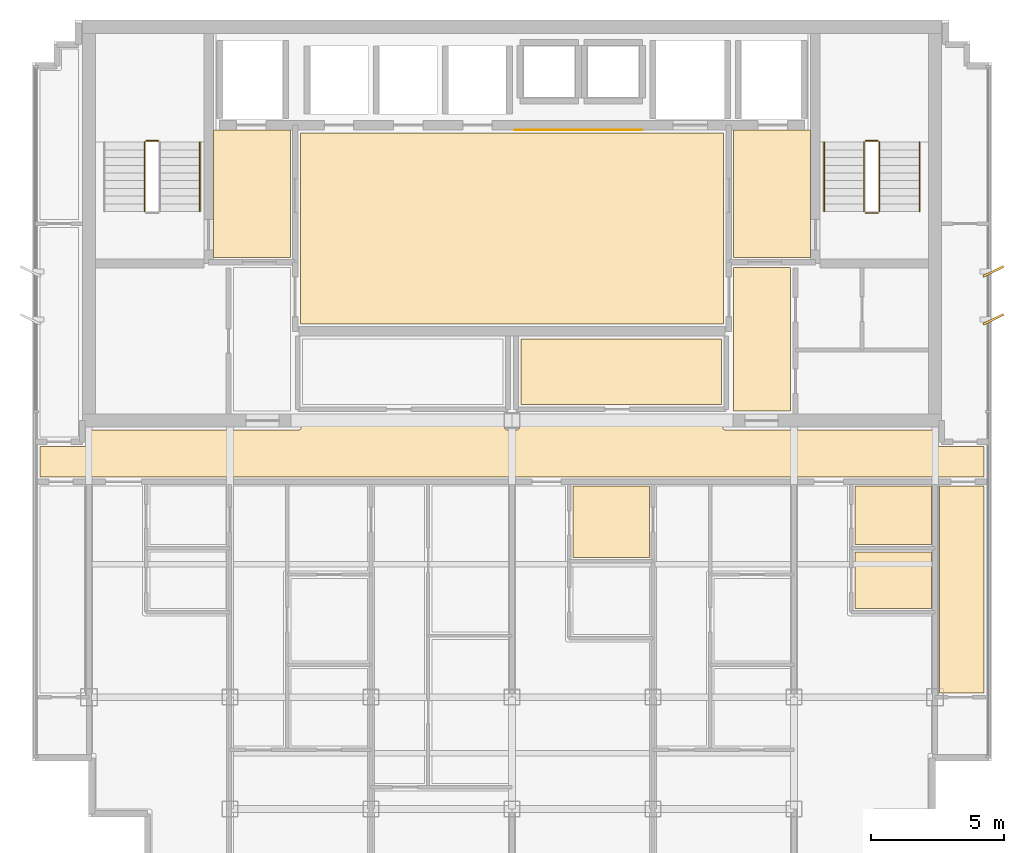
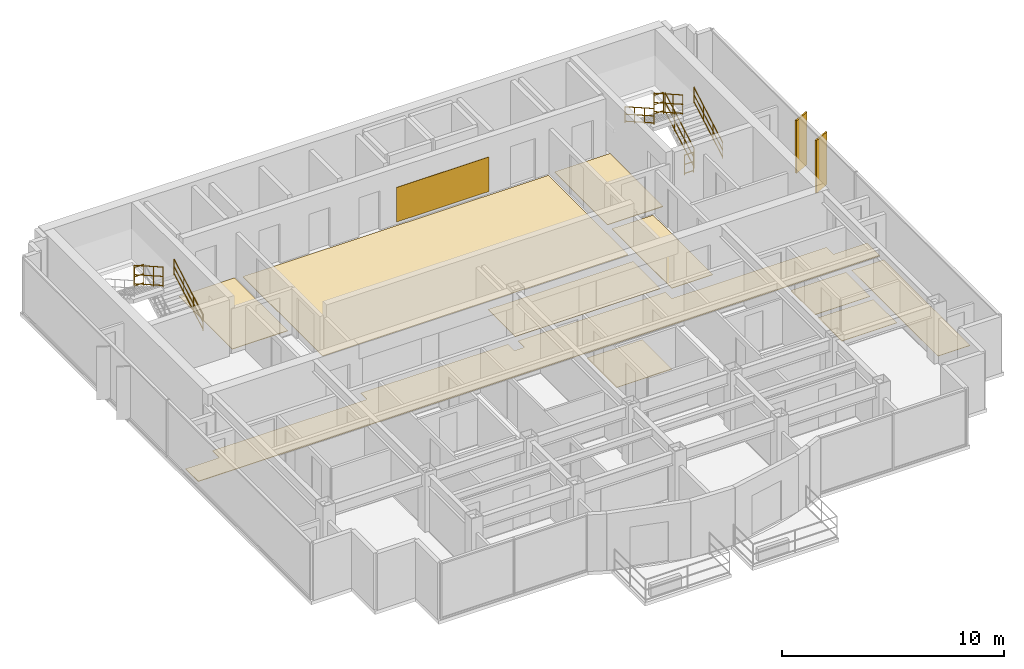
# One storey, part 11 of 11: 11 coverings, 9 railings, 2 shading devices.
"""IFC4 building model written with IfcOpenShell, lengths in metres."""

from ifc_helpers import new_model, si_unit, direction, frame, origin, origin_2d, place, context, subcontext, project, spatial, polyline, rectangle, circle, outline, extrude, source, transform, mapped, material, layer, layer_set, type_object, element, save


model = new_model("IFC4")

# Units and contexts
model_context = context("Model", 3, precision=1e-05, world=origin(), true_north=direction((0.0, 1.0)))
body_context = subcontext(model_context, "Body", "Model", "MODEL_VIEW")
ifc_project = project(units=[si_unit("LENGTHUNIT", "METRE"), si_unit("AREAUNIT", "SQUARE_METRE"), si_unit("VOLUMEUNIT", "CUBIC_METRE"), si_unit("PLANEANGLEUNIT", "RADIAN"), si_unit("MASSUNIT", "GRAM", prefix="KILO")], contexts=[model_context])

# Site, building, storey
site_placement = place(None, origin())
site = spatial("IfcSite", under=ifc_project, at=site_placement, CompositionType="ELEMENT")
building_placement = place(site_placement, origin())
building = spatial("IfcBuilding", under=site, at=building_placement, Name="Qianlan Lanfeng Residences", CompositionType="ELEMENT")
storey_placement = place(building_placement, frame((0.0, 0.0, 259.39990234375)))
storey = spatial("IfcBuildingStorey", under=building, at=storey_placement, Name="L72", CompositionType="ELEMENT", Elevation=259.39990234375)

# Coverings
ifc_material_1 = material(Name="Anodised Bronze Feature Wall Cladding")
ifc_layer_1 = layer(ifc_material_1, 0.02490234375)
ifc_layer_set_1 = layer_set([ifc_layer_1], Name="Anodised Bronze Feature Wall Cladding")
covering_type_1 = type_object("IfcCoveringType", Name="CLD-BRZ-25", PredefinedType="CLADDING", material=ifc_layer_set_1)
covering_1_placement = place(storey_placement, frame((0.0, 0.0, 0.150146484375)))
element("IfcCovering", 1, at=covering_1_placement, inside=storey, type_object=covering_type_1, Name="L72 Lift Lobby Bronze Feature Cladding", PredefinedType="CLADDING", context=body_context, shape_type="SweptSolid", body=[
    extrude(outline(polyline([(26.60009765625, 36.10009765625), (31.39990234375, 36.10009765625), (31.39990234375, 36.125), (26.60009765625, 36.125), (26.60009765625, 36.10009765625)])), origin(), (0.0, 0.0, 1.0), 1.89990234375),
])
ifc_material_2 = material(Name="Honed Taitung Granite Stone Flooring", Category="masonry")
ifc_layer_2 = layer(ifc_material_2, 0.030029296875)
ifc_layer_set_2 = layer_set([ifc_layer_2], Name="Honed Taitung Granite Stone Flooring")
covering_type_2 = type_object("IfcCoveringType", Name="FLR-STN-30", PredefinedType="FLOORING", material=ifc_layer_set_2)
covering_2_placement = place(storey_placement, origin())
element("IfcCovering", 2, at=covering_2_placement, inside=storey, type_object=covering_type_2, Name="L72 Firefighting Lift Lobby Floor Finish", PredefinedType="FLOORING", context=body_context, shape_type="SweptSolid", body=[
    extrude(outline(polyline([(15.2900390625, 31.320068359375), (18.179931640625, 31.320068359375), (18.179931640625, 36.110107421875), (15.2900390625, 36.110107421875), (15.2900390625, 31.320068359375)])), origin(), (0.0, 0.0, 1.0), 0.030029296875),
])
covering_3_placement = place(storey_placement, origin())
element("IfcCovering", 3, at=covering_3_placement, inside=storey, type_object=covering_type_2, Name="L72 Firefighting Lift Lobby Floor Finish", PredefinedType="FLOORING", context=body_context, shape_type="SweptSolid", body=[
    extrude(outline(polyline([(34.820068359375, 31.320068359375), (37.7099609375, 31.320068359375), (37.7099609375, 36.110107421875), (34.820068359375, 36.110107421875), (34.820068359375, 31.320068359375)])), origin(), (0.0, 0.0, 1.0), 0.030029296875),
])
covering_4_placement = place(storey_placement, origin())
element("IfcCovering", 4, at=covering_4_placement, inside=storey, type_object=covering_type_2, Name="L72 Lift Lobby Floor Finish", PredefinedType="FLOORING", context=body_context, shape_type="SweptSolid", body=[
    extrude(outline(polyline([(18.550048828125, 28.820068359375), (34.449951171875, 28.820068359375), (34.449951171875, 36.010009765625), (18.550048828125, 36.010009765625), (18.550048828125, 28.820068359375)])), origin(), (0.0, 0.0, 1.0), 0.030029296875),
])
covering_5_placement = place(storey_placement, origin())
element("IfcCovering", 5, at=covering_5_placement, inside=storey, type_object=covering_type_2, Name="L72 Residential Corridor Floor Finish", PredefinedType="FLOORING", context=body_context, shape_type="SweptSolid", body=[
    extrude(outline(polyline([(8.77001953125, 23.080078125), (44.22998046875, 23.080078125), (44.22998046875, 24.219970703125), (42.5400390625, 24.219970703125), (42.532958984375, 24.219970703125), (42.52587890625, 24.220947265625), (42.52001953125, 24.222900390625), (42.512939453125, 24.22509765625), (42.507080078125, 24.22802734375), (42.5009765625, 24.23193359375), (42.49609375, 24.236083984375), (42.490966796875, 24.240966796875), (42.486083984375, 24.24609375), (42.48193359375, 24.2509765625), (42.47802734375, 24.257080078125), (42.47509765625, 24.262939453125), (42.472900390625, 24.27001953125), (42.470947265625, 24.27587890625), (42.469970703125, 24.282958984375), (42.469970703125, 24.2900390625), (42.469970703125, 24.85009765625), (34.5, 24.85009765625), (34.492919921875, 24.85009765625), (34.486083984375, 24.85107421875), (34.47998046875, 24.85302734375), (34.472900390625, 24.85498046875), (34.467041015625, 24.85791015625), (34.4609375, 24.862060546875), (34.4560546875, 24.865966796875), (34.450927734375, 24.87109375), (34.446044921875, 24.8759765625), (34.44189453125, 24.881103515625), (34.43798828125, 24.886962890625), (34.43505859375, 24.89306640625), (34.43310546875, 24.89990234375), (34.430908203125, 24.906005859375), (34.429931640625, 24.9130859375), (34.429931640625, 24.919921875), (34.429931640625, 25.429931640625), (26.77001953125, 25.429931640625), (26.77001953125, 24.919921875), (26.77001953125, 24.9130859375), (26.76904296875, 24.906005859375), (26.76708984375, 24.89990234375), (26.764892578125, 24.89306640625), (26.761962890625, 24.886962890625), (26.758056640625, 24.881103515625), (26.75390625, 24.8759765625), (26.7490234375, 24.87109375), (26.743896484375, 24.865966796875), (26.739013671875, 24.862060546875), (26.73291015625, 24.85791015625), (26.72705078125, 24.85498046875), (26.719970703125, 24.85302734375), (26.714111328125, 24.85107421875), (26.70703125, 24.85009765625), (26.699951171875, 24.85009765625), (26.300048828125, 24.85009765625), (26.29296875, 24.85009765625), (26.285888671875, 24.85107421875), (26.280029296875, 24.85302734375), (26.27294921875, 24.85498046875), (26.26708984375, 24.85791015625), (26.260986328125, 24.862060546875), (26.256103515625, 24.865966796875), (26.2509765625, 24.87109375), (26.24609375, 24.8759765625), (26.241943359375, 24.881103515625), (26.238037109375, 24.886962890625), (26.235107421875, 24.89306640625), (26.23291015625, 24.89990234375), (26.23095703125, 24.906005859375), (26.22998046875, 24.9130859375), (26.22998046875, 24.919921875), (26.22998046875, 25.429931640625), (18.570068359375, 25.429931640625), (18.570068359375, 24.919921875), (18.570068359375, 24.9130859375), (18.569091796875, 24.906005859375), (18.56689453125, 24.89990234375), (18.56494140625, 24.89306640625), (18.56201171875, 24.886962890625), (18.55810546875, 24.881103515625), (18.553955078125, 24.8759765625), (18.549072265625, 24.87109375), (18.5439453125, 24.865966796875), (18.5390625, 24.862060546875), (18.532958984375, 24.85791015625), (18.527099609375, 24.85498046875), (18.52001953125, 24.85302734375), (18.513916015625, 24.85107421875), (18.507080078125, 24.85009765625), (18.5, 24.85009765625), (10.530029296875, 24.85009765625), (10.530029296875, 24.2900390625), (10.530029296875, 24.282958984375), (10.529052734375, 24.27587890625), (10.527099609375, 24.27001953125), (10.52490234375, 24.262939453125), (10.52197265625, 24.257080078125), (10.51806640625, 24.2509765625), (10.513916015625, 24.24609375), (10.509033203125, 24.240966796875), (10.50390625, 24.236083984375), (10.4990234375, 24.23193359375), (10.492919921875, 24.22802734375), (10.487060546875, 24.22509765625), (10.47998046875, 24.222900390625), (10.47412109375, 24.220947265625), (10.467041015625, 24.219970703125), (10.4599609375, 24.219970703125), (8.77001953125, 24.219970703125), (8.77001953125, 23.080078125)])), origin(), (0.0, 0.0, 1.0), 0.030029296875),
])
covering_6_placement = place(storey_placement, origin())
element("IfcCovering", 6, at=covering_6_placement, inside=storey, type_object=covering_type_2, Name="L72 Lift Lobby Floor Finish", PredefinedType="FLOORING", context=body_context, shape_type="SweptSolid", body=[
    extrude(outline(polyline([(34.830078125, 25.56005859375), (36.969970703125, 25.56005859375), (36.969970703125, 30.949951171875), (34.830078125, 30.949951171875), (34.830078125, 25.56005859375)])), origin(), (0.0, 0.0, 1.0), 0.030029296875),
])
ifc_material_3 = material(Name="Slip-Resistant Porcelain Tile Flooring")
ifc_layer_3 = layer(ifc_material_3, 0.02001953125)
ifc_layer_set_3 = layer_set([ifc_layer_3], Name="Slip-Resistant Porcelain Tile Flooring")
covering_type_3 = type_object("IfcCoveringType", Name="FLR-TIL-20", PredefinedType="FLOORING", material=ifc_layer_set_3)
covering_7_placement = place(storey_placement, origin())
element("IfcCovering", 7, at=covering_7_placement, inside=storey, type_object=covering_type_3, Name="L72 Bathroom Floor Finish", PredefinedType="FLOORING", context=body_context, shape_type="SweptSolid", body=[
    extrude(outline(polyline([(28.7900390625, 20.050048828125), (31.659912109375, 20.050048828125), (31.659912109375, 22.72998046875), (28.7900390625, 22.72998046875), (28.7900390625, 20.050048828125)])), origin(), (0.0, 0.0, 1.0), 0.02001953125),
])
covering_8_placement = place(storey_placement, origin())
element("IfcCovering", 8, at=covering_8_placement, inside=storey, type_object=covering_type_3, Name="L72 Kitchen Floor Finish", PredefinedType="FLOORING", context=body_context, shape_type="SweptSolid", body=[
    extrude(outline(polyline([(39.389892578125, 18.139892578125), (42.260009765625, 18.139892578125), (42.260009765625, 20.260009765625), (39.389892578125, 20.260009765625), (39.389892578125, 18.139892578125)])), origin(), (0.0, 0.0, 1.0), 0.02001953125),
])
covering_9_placement = place(storey_placement, origin())
element("IfcCovering", 9, at=covering_9_placement, inside=storey, type_object=covering_type_3, Name="L72 Bathroom Floor Finish", PredefinedType="FLOORING", context=body_context, shape_type="SweptSolid", body=[
    extrude(outline(polyline([(39.389892578125, 20.5400390625), (42.260009765625, 20.5400390625), (42.260009765625, 22.72998046875), (39.389892578125, 22.72998046875), (39.389892578125, 20.5400390625)])), origin(), (0.0, 0.0, 1.0), 0.02001953125),
])
ifc_material_4 = material(Name="Engineered Smoked Oak Timber Flooring", Category="wood")
ifc_layer_4 = layer(ifc_material_4, 0.02197265625)
ifc_layer_set_4 = layer_set([ifc_layer_4], Name="Engineered Smoked Oak Timber Flooring")
covering_type_4 = type_object("IfcCoveringType", Name="FLR-TIM-22", PredefinedType="FLOORING", material=ifc_layer_set_4)
covering_10_placement = place(storey_placement, origin())
element("IfcCovering", 10, at=covering_10_placement, inside=storey, type_object=covering_type_4, Name="L72 Panoramic Sky Foyer Salon Floor Finish", PredefinedType="FLOORING", context=body_context, shape_type="SweptSolid", body=[
    extrude(outline(polyline([(26.830078125, 25.800048828125), (34.3701171875, 25.800048828125), (34.3701171875, 28.2548828125), (26.830078125, 28.2548828125), (26.830078125, 25.800048828125)])), origin(), (0.0, 0.0, 1.0), 0.022216796875),
])
covering_11_placement = place(storey_placement, origin())
element("IfcCovering", 11, at=covering_11_placement, inside=storey, type_object=covering_type_4, Name="L72 Private Study Floor Finish", PredefinedType="FLOORING", context=body_context, shape_type="SweptSolid", body=[
    extrude(outline(polyline([(44.22998046875, 22.72998046875), (42.56005859375, 22.72998046875), (42.56005859375, 14.949951171875), (44.22998046875, 14.949951171875), (44.22998046875, 22.72998046875)])), origin(), (0.0, 0.0, 1.0), 0.022216796875),
])

# Railings
ifc_material_5 = material(Name="Painted Galvanised Steel Guardrail", Category="steel")
railing_type_1 = type_object("IfcRailingType", Name="GR-ST-1120", PredefinedType="GUARDRAIL", material=ifc_material_5)
railing_1_placement = place(storey_placement, frame((13.219970703125, 35.7099609375, 1.650146484375)))
element("IfcRailing", 12, at=railing_1_placement, inside=storey, type_object=railing_type_1, Name="L72 ST-1 stair guard 2", PredefinedType="GUARDRAIL", context=body_context, shape_type="SweptSolid", body=[
    extrude(circle(Radius=0.02392578125, at=origin_2d()), frame((0.0, 0.0, 0.083984375), z_axis=(-1.0, 0.0, 0.0), x_axis=(0.0, -1.0, 0.0)), (0.0, 0.0, 1.0), 0.47998046875),
    extrude(circle(Radius=0.02392578125, at=origin_2d()), frame((0.0, 0.0, 0.58251953125), z_axis=(-1.0, 0.0, 0.0), x_axis=(0.0, -1.0, 0.0)), (0.0, 0.0, 1.0), 0.47998046875),
    extrude(circle(Radius=0.02392578125, at=origin_2d()), frame((0.0, 0.0, 1.09619140625), z_axis=(-1.0, 0.0, 0.0), x_axis=(0.0, -1.0, 0.0)), (0.0, 0.0, 1.0), 0.47998046875),
    extrude(circle(Radius=0.02099609375, at=origin_2d()), origin(), (0.0, 0.0, 1.0), 1.072021484375),
    extrude(circle(Radius=0.02099609375, at=origin_2d()), frame((-0.47998046875, 0.0, 0.0)), (0.0, 0.0, 1.0), 1.072021484375),
])
railing_2_placement = place(storey_placement, frame((12.68994140625, 35.659912109375, 1.815185546875)))
element("IfcRailing", 13, at=railing_2_placement, inside=storey, type_object=railing_type_1, Name="L72 ST-1 stair guard 3", PredefinedType="GUARDRAIL", context=body_context, shape_type="SweptSolid", body=[
    extrude(circle(Radius=0.02392578125, at=origin_2d()), frame((0.0, 0.0, 0.083984375), z_axis=(0.0, -0.869172267526, 0.494509422927), x_axis=(1.0, 0.0, 0.0)), (0.0, 0.0, 1.0), 3.002685546875),
    extrude(circle(Radius=0.02392578125, at=origin_2d()), frame((0.0, 0.0, 0.58251953125), z_axis=(0.0, -0.869172267526, 0.494509422927), x_axis=(1.0, 0.0, 0.0)), (0.0, 0.0, 1.0), 3.002685546875),
    extrude(circle(Radius=0.02392578125, at=origin_2d()), frame((0.0, 0.0, 1.09619140625), z_axis=(0.0, -0.869172267526, 0.494509422927), x_axis=(1.0, 0.0, 0.0)), (0.0, 0.0, 1.0), 3.002685546875),
    extrude(circle(Radius=0.02099609375, at=origin_2d()), origin(), (0.0, 0.0, 1.0), 1.072021484375),
    extrude(circle(Radius=0.02099609375, at=origin_2d()), frame((0.0, -0.869873046875, 0.494873046875)), (0.0, 0.0, 1.0), 1.072021484375),
    extrude(circle(Radius=0.02099609375, at=origin_2d()), frame((0.0, -1.739990234375, 0.989990234375)), (0.0, 0.0, 1.0), 1.072021484375),
    extrude(circle(Radius=0.02099609375, at=origin_2d()), frame((0.0, -2.60986328125, 1.48486328125)), (0.0, 0.0, 1.0), 1.072021484375),
])
railing_3_placement = place(storey_placement, frame((40.31005859375, 33.050048828125, 0.1650390625)))
element("IfcRailing", 14, at=railing_3_placement, inside=storey, type_object=railing_type_1, Name="L72 ST-2 stair guard 1", PredefinedType="GUARDRAIL", context=body_context, shape_type="SweptSolid", body=[
    extrude(circle(Radius=0.02392578125, at=origin_2d()), frame((0.0, 0.0, 0.083984375), z_axis=(0.0, 0.869137319866, 0.494570843475), x_axis=(-1.0, 0.0, 0.0)), (0.0, 0.0, 1.0), 3.0029296875),
    extrude(circle(Radius=0.02392578125, at=origin_2d()), frame((0.0, 0.0, 0.58251953125), z_axis=(0.0, 0.869137319866, 0.494570843475), x_axis=(-1.0, 0.0, 0.0)), (0.0, 0.0, 1.0), 3.0029296875),
    extrude(circle(Radius=0.02392578125, at=origin_2d()), frame((0.0, 0.0, 1.09619140625), z_axis=(0.0, 0.869137319866, 0.494570843475), x_axis=(-1.0, 0.0, 0.0)), (0.0, 0.0, 1.0), 3.0029296875),
    extrude(circle(Radius=0.02099609375, at=origin_2d()), origin(), (0.0, 0.0, 1.0), 1.072021484375),
    extrude(circle(Radius=0.02099609375, at=origin_2d()), frame((0.0, 0.869873046875, 0.4951171875)), (0.0, 0.0, 1.0), 1.072021484375),
    extrude(circle(Radius=0.02099609375, at=origin_2d()), frame((0.0, 1.739990234375, 0.989990234375)), (0.0, 0.0, 1.0), 1.072021484375),
    extrude(circle(Radius=0.02099609375, at=origin_2d()), frame((0.0, 2.60986328125, 1.485107421875)), (0.0, 0.0, 1.0), 1.072021484375),
])
railing_4_placement = place(storey_placement, frame((40.260009765625, 35.7099609375, 1.650146484375)))
element("IfcRailing", 15, at=railing_4_placement, inside=storey, type_object=railing_type_1, Name="L72 ST-2 stair guard 2", PredefinedType="GUARDRAIL", context=body_context, shape_type="SweptSolid", body=[
    extrude(circle(Radius=0.02392578125, at=origin_2d()), frame((0.0, 0.0, 0.083984375), z_axis=(-1.0, 0.0, 0.0), x_axis=(0.0, -1.0, 0.0)), (0.0, 0.0, 1.0), 0.47998046875),
    extrude(circle(Radius=0.02392578125, at=origin_2d()), frame((0.0, 0.0, 0.58251953125), z_axis=(-1.0, 0.0, 0.0), x_axis=(0.0, -1.0, 0.0)), (0.0, 0.0, 1.0), 0.47998046875),
    extrude(circle(Radius=0.02392578125, at=origin_2d()), frame((0.0, 0.0, 1.09619140625), z_axis=(-1.0, 0.0, 0.0), x_axis=(0.0, -1.0, 0.0)), (0.0, 0.0, 1.0), 0.47998046875),
    extrude(circle(Radius=0.02099609375, at=origin_2d()), origin(), (0.0, 0.0, 1.0), 1.072021484375),
    extrude(circle(Radius=0.02099609375, at=origin_2d()), frame((-0.47998046875, 0.0, 0.0)), (0.0, 0.0, 1.0), 1.072021484375),
])
railing_5_placement = place(storey_placement, frame((39.72998046875, 35.659912109375, 1.815185546875)))
element("IfcRailing", 16, at=railing_5_placement, inside=storey, type_object=railing_type_1, Name="L72 ST-2 stair guard 3", PredefinedType="GUARDRAIL", context=body_context, shape_type="SweptSolid", body=[
    extrude(circle(Radius=0.02392578125, at=origin_2d()), frame((0.0, 0.0, 0.083984375), z_axis=(0.0, -0.869172267526, 0.494509422927), x_axis=(1.0, 0.0, 0.0)), (0.0, 0.0, 1.0), 3.002685546875),
    extrude(circle(Radius=0.02392578125, at=origin_2d()), frame((0.0, 0.0, 0.58251953125), z_axis=(0.0, -0.869172267526, 0.494509422927), x_axis=(1.0, 0.0, 0.0)), (0.0, 0.0, 1.0), 3.002685546875),
    extrude(circle(Radius=0.02392578125, at=origin_2d()), frame((0.0, 0.0, 1.09619140625), z_axis=(0.0, -0.869172267526, 0.494509422927), x_axis=(1.0, 0.0, 0.0)), (0.0, 0.0, 1.0), 3.002685546875),
    extrude(circle(Radius=0.02099609375, at=origin_2d()), origin(), (0.0, 0.0, 1.0), 1.072021484375),
    extrude(circle(Radius=0.02099609375, at=origin_2d()), frame((0.0, -0.869873046875, 0.494873046875)), (0.0, 0.0, 1.0), 1.072021484375),
    extrude(circle(Radius=0.02099609375, at=origin_2d()), frame((0.0, -1.739990234375, 0.989990234375)), (0.0, 0.0, 1.0), 1.072021484375),
    extrude(circle(Radius=0.02099609375, at=origin_2d()), frame((0.0, -2.60986328125, 1.48486328125)), (0.0, 0.0, 1.0), 1.072021484375),
])
railing_6_placement = place(storey_placement, frame((40.260009765625, 33.0, 0.0)))
element("IfcRailing", 17, at=railing_6_placement, inside=storey, type_object=railing_type_1, Name="L72 ST-2 stair guard 4", PredefinedType="GUARDRAIL", context=body_context, shape_type="SweptSolid", body=[
    extrude(circle(Radius=0.02392578125, at=origin_2d()), frame((0.0, 0.0, 0.083984375), z_axis=(-1.0, 0.0, 0.0), x_axis=(0.0, -1.0, 0.0)), (0.0, 0.0, 1.0), 0.47998046875),
    extrude(circle(Radius=0.02392578125, at=origin_2d()), frame((0.0, 0.0, 0.58251953125), z_axis=(-1.0, 0.0, 0.0), x_axis=(0.0, -1.0, 0.0)), (0.0, 0.0, 1.0), 0.47998046875),
    extrude(circle(Radius=0.02392578125, at=origin_2d()), frame((0.0, 0.0, 1.09619140625), z_axis=(-1.0, 0.0, 0.0), x_axis=(0.0, -1.0, 0.0)), (0.0, 0.0, 1.0), 0.47998046875),
    extrude(circle(Radius=0.02099609375, at=origin_2d()), origin(), (0.0, 0.0, 1.0), 1.072021484375),
    extrude(circle(Radius=0.02099609375, at=origin_2d()), frame((-0.47998046875, 0.0, 0.0)), (0.0, 0.0, 1.0), 1.072021484375),
])
ifc_material_6 = material(Name="Brushed Stainless Steel Handrail", Category="steel")
railing_type_2 = type_object("IfcRailingType", Name="HR-ST-920", PredefinedType="HANDRAIL", material=ifc_material_6)
for number, where, name in (
    (18, (14.77001953125, 33.050048828125, 0.1650390625), "L72 ST-1 stair handrail 1"),
    (19, (41.81005859375, 33.050048828125, 0.1650390625), "L72 ST-2 stair handrail 1"),
):
    element("IfcRailing", number, at=place(storey_placement, frame(where)), inside=storey, type_object=railing_type_2, Name=name, PredefinedType="HANDRAIL", context=body_context, shape_type="SweptSolid", body=[
        extrude(circle(Radius=0.02392578125, at=origin_2d()), frame((0.0, 0.0, 0.083984375), z_axis=(0.0, 0.869137319866, 0.494570843475), x_axis=(-1.0, 0.0, 0.0)), (0.0, 0.0, 1.0), 3.0029296875),
        extrude(circle(Radius=0.02392578125, at=origin_2d()), frame((0.0, 0.0, 0.468017578125), z_axis=(0.0, 0.869137319866, 0.494570843475), x_axis=(-1.0, 0.0, 0.0)), (0.0, 0.0, 1.0), 3.0029296875),
        extrude(circle(Radius=0.02392578125, at=origin_2d()), frame((0.0, 0.0, 0.8759765625), z_axis=(0.0, 0.869137319866, 0.494570843475), x_axis=(-1.0, 0.0, 0.0)), (0.0, 0.0, 1.0), 3.0029296875),
        extrude(circle(Radius=0.02099609375, at=origin_2d()), origin(), (0.0, 0.0, 1.0), 0.851806640625),
        extrude(circle(Radius=0.02099609375, at=origin_2d()), frame((0.0, 0.869873046875, 0.4951171875)), (0.0, 0.0, 1.0), 0.851806640625),
        extrude(circle(Radius=0.02099609375, at=origin_2d()), frame((0.0, 1.739990234375, 0.989990234375)), (0.0, 0.0, 1.0), 0.851806640625),
        extrude(circle(Radius=0.02099609375, at=origin_2d()), frame((0.0, 2.60986328125, 1.485107421875)), (0.0, 0.0, 1.0), 0.851806640625),
    ])
railing_7_placement = place(storey_placement, frame((38.22998046875, 35.659912109375, 1.815185546875)))
element("IfcRailing", 20, at=railing_7_placement, inside=storey, type_object=railing_type_2, Name="L72 ST-2 stair handrail 2", PredefinedType="HANDRAIL", context=body_context, shape_type="SweptSolid", body=[
    extrude(circle(Radius=0.02392578125, at=origin_2d()), frame((0.0, 0.0, 0.083984375), z_axis=(0.0, -0.869172267526, 0.494509422927), x_axis=(1.0, 0.0, 0.0)), (0.0, 0.0, 1.0), 3.002685546875),
    extrude(circle(Radius=0.02392578125, at=origin_2d()), frame((0.0, 0.0, 0.468017578125), z_axis=(0.0, -0.869172267526, 0.494509422927), x_axis=(1.0, 0.0, 0.0)), (0.0, 0.0, 1.0), 3.002685546875),
    extrude(circle(Radius=0.02392578125, at=origin_2d()), frame((0.0, 0.0, 0.8759765625), z_axis=(0.0, -0.869172267526, 0.494509422927), x_axis=(1.0, 0.0, 0.0)), (0.0, 0.0, 1.0), 3.002685546875),
    extrude(circle(Radius=0.02099609375, at=origin_2d()), origin(), (0.0, 0.0, 1.0), 0.851806640625),
    extrude(circle(Radius=0.02099609375, at=origin_2d()), frame((0.0, -0.869873046875, 0.494873046875)), (0.0, 0.0, 1.0), 0.851806640625),
    extrude(circle(Radius=0.02099609375, at=origin_2d()), frame((0.0, -1.739990234375, 0.989990234375)), (0.0, 0.0, 1.0), 0.851806640625),
    extrude(circle(Radius=0.02099609375, at=origin_2d()), frame((0.0, -2.60986328125, 1.48486328125)), (0.0, 0.0, 1.0), 0.851806640625),
])

# Shading devices
ifc_material_7 = material(Name="Anodised Bronze Aluminium Solar Fin", Category="aluminium")
shading_device_type = type_object("IfcShadingDeviceType", Name="FIN-BRZ-850", PredefinedType="SHUTTER", material=ifc_material_7)
shared_shape = source(origin(), body_context, "Body", "SweptSolid", [
    extrude(rectangle(XDim=0.85009765625, YDim=0.080078125, at=origin_2d()), origin(), (0.0, 0.0, 1.0), 2.89990234375),
])
for number, where, z_axis, x_axis, name in (
    (21, (44.590087890625, 29.0, 0.000244140625), (0.0, 0.0, 1.0), (0.898794046299, 0.438371146789, 0.0), "L72 Raked Bronze Solar Fin E1"),
    (22, (44.590087890625, 30.800048828125, 0.000244140625), (0.0, 0.0, 1.0), (0.898794046299, 0.438371146789, 0.0), "L72 Raked Bronze Solar Fin E2"),
):
    element("IfcShadingDevice", number, at=place(storey_placement, frame(where, z_axis=z_axis, x_axis=x_axis)), inside=storey, type_object=shading_device_type, Name=name, PredefinedType="SHUTTER", context=body_context, shape_type="MappedRepresentation", body=[
        mapped(shared_shape, transform((0.0, 0.0, 0.0), scale=1.0)),
    ])

save(model, "model.ifc")
